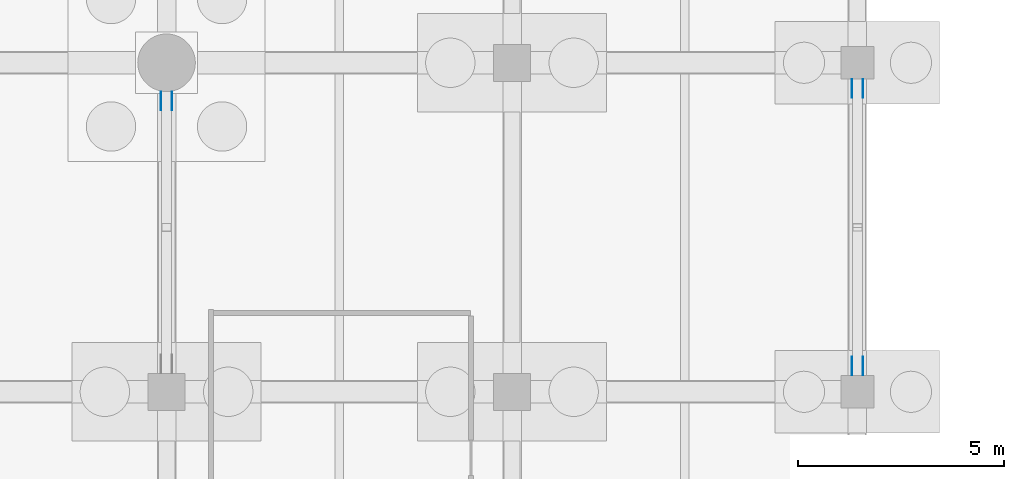
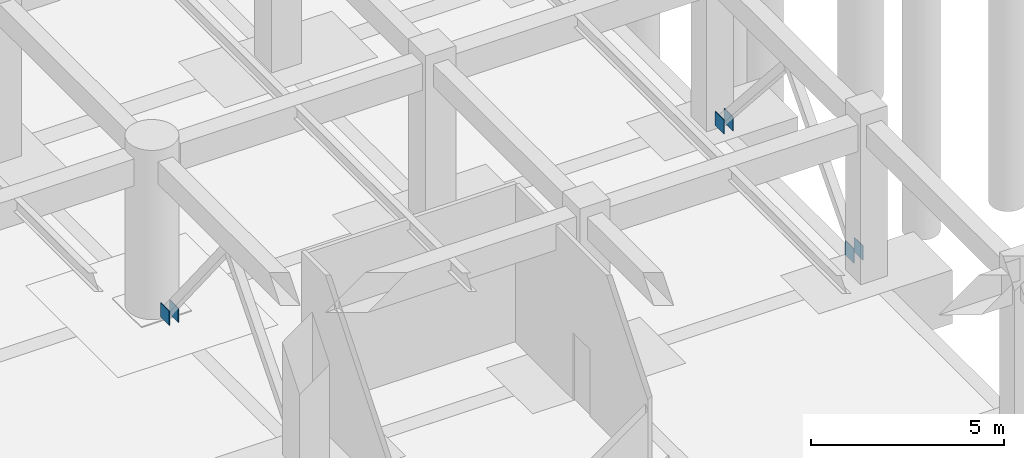
# One storey, part 47 of 56: 6 discrete accessories.
"""IFC4 building model written with IfcOpenShell, lengths in metres."""

from ifc_helpers import new_model, si_unit, direction, frame, origin, origin_2d, place, context, subcontext, project, spatial, rectangle, extrude, material, layer, layer_set, type_object, element, save


model = new_model("IFC4")

# Units and contexts
model_context = context("Model", 3, precision=1e-05, world=origin(), true_north=direction((0.0, 1.0)))
body_context = subcontext(model_context, "Body", "Model", "MODEL_VIEW")
ifc_project = project(units=[si_unit("LENGTHUNIT", "METRE"), si_unit("AREAUNIT", "SQUARE_METRE"), si_unit("VOLUMEUNIT", "CUBIC_METRE"), si_unit("PLANEANGLEUNIT", "RADIAN"), si_unit("MASSUNIT", "GRAM", prefix="KILO")], contexts=[model_context])

# Site, building, storey
site_placement = place(None, origin())
site = spatial("IfcSite", under=ifc_project, at=site_placement, CompositionType="ELEMENT")
building_placement = place(site_placement, origin())
building = spatial("IfcBuilding", under=site, at=building_placement, Name="Naruveol Harbour Congress Hotel", CompositionType="ELEMENT")
storey_placement = place(building_placement, frame((0.0, 0.0, -5.39990234375)))
storey = spatial("IfcBuildingStorey", under=building, at=storey_placement, Name="B01", CompositionType="ELEMENT", Elevation=-5.39990234375)

# Discrete accessories
ifc_material = material(Name="Steel SN490", Category="steel")
ifc_layer = layer(ifc_material, 0.02001953125)
ifc_layer_set = layer_set([ifc_layer], Name="Steel SN490")
discrete_accessory_type = type_object("IfcDiscreteAccessoryType", Name="STEEL BRACE GUSSET PLATE 20", PredefinedType="USERDEFINED", material=ifc_layer_set)
for number, where, z_axis, x_axis, name in (
    (1, (50.534912109375, 47.074951171875, 0.10986328125), (0.0, 0.0, 1.0), (0.0, -1.0, 0.0), "Brace gusset plate Lateral chevron brace B01 #2B (A)"),
    (2, (50.264892578125, 47.074951171875, 0.10986328125), (0.0, 0.0, 1.0), (0.0, -1.0, 0.0), "Brace gusset plate Lateral chevron brace B01 #2B (B)"),
    (3, (67.06494140625, 40.625, 0.10986328125), (0.0, 0.0, 1.0), (0.0, 1.0, 0.0), "Brace gusset plate Lateral chevron brace B01 #5A (A)"),
    (4, (67.3349609375, 40.625, 0.10986328125), (0.0, 0.0, 1.0), (0.0, 1.0, 0.0), "Brace gusset plate Lateral chevron brace B01 #5A (B)"),
    (5, (67.3349609375, 47.375, 0.10986328125), (0.0, 0.0, 1.0), (0.0, -1.0, 0.0), "Brace gusset plate Lateral chevron brace B01 #5B (A)"),
    (6, (67.06494140625, 47.375, 0.10986328125), (0.0, 0.0, 1.0), (0.0, -1.0, 0.0), "Brace gusset plate Lateral chevron brace B01 #5B (B)"),
):
    element("IfcDiscreteAccessory", number, at=place(storey_placement, frame(where, z_axis=z_axis, x_axis=x_axis)), inside=storey, type_object=discrete_accessory_type, Name=name, ObjectType="BRACE GUSSET PLATE", PredefinedType="USERDEFINED", context=body_context, shape_type="SweptSolid", body=[
        extrude(rectangle(XDim=0.449951171875, YDim=0.02001953125, at=origin_2d()), origin(), (0.0, 0.0, 1.0), 0.449951171875),
    ])

save(model, "model.ifc")
